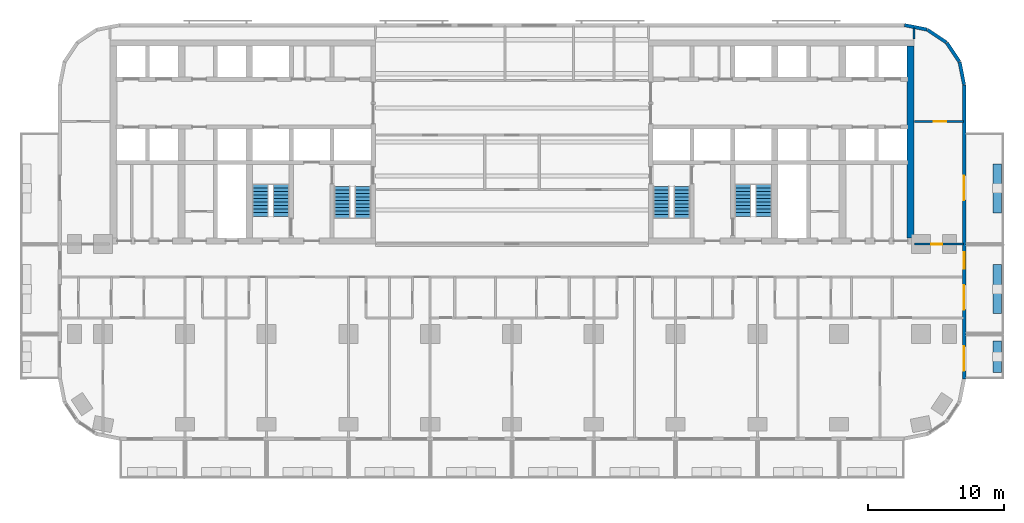
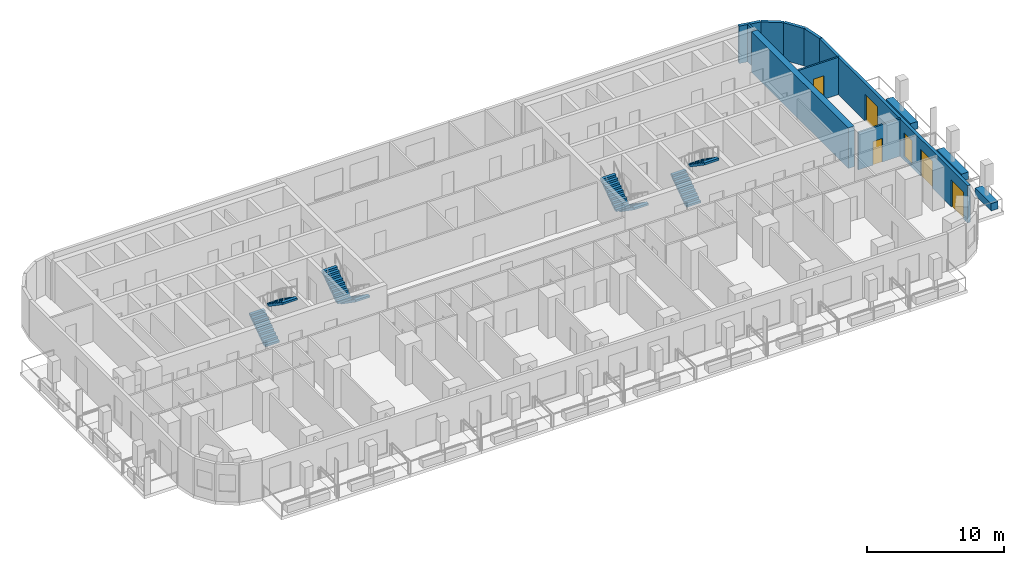
# One storey, part 10 of 15: 12 walls, 8 stair flights, 5 doors, 1 window, 6 openings, 4 elements without a shape of their own.
"""IFC4 building model written with IfcOpenShell, lengths in metres."""

from ifc_helpers import new_model, si_unit, direction, frame, frame_2d, origin, place, context, subcontext, project, spatial, polyline, rectangle, outline, extrude, material, layer, layer_set, type_object, element, fill, aggregate, save


model = new_model("IFC4")

# Units and contexts
model_context = context("Model", 3, precision=1e-05, world=origin(), true_north=direction((0.0, 1.0)))
body_context = subcontext(model_context, "Body", "Model", "MODEL_VIEW")
ifc_project = project(units=[si_unit("LENGTHUNIT", "METRE"), si_unit("AREAUNIT", "SQUARE_METRE"), si_unit("VOLUMEUNIT", "CUBIC_METRE"), si_unit("PLANEANGLEUNIT", "RADIAN"), si_unit("MASSUNIT", "GRAM", prefix="KILO")], contexts=[model_context])

# Site, building, storey
site_placement = place(None, origin())
site = spatial("IfcSite", under=ifc_project, at=site_placement, CompositionType="ELEMENT")
building_placement = place(site_placement, origin())
building = spatial("IfcBuilding", under=site, at=building_placement, Name="Torana Hotel and Residences", CompositionType="ELEMENT")
storey_placement = place(building_placement, frame((0.0, 0.0, 45.60009765625)))
storey = spatial("IfcBuildingStorey", under=building, at=storey_placement, Name="L10", CompositionType="ELEMENT", Elevation=45.60009765625)

# Walls
ifc_material_1 = material(Name="Concrete C80/95", Category="concrete")
ifc_layer_1 = layer(ifc_material_1, 0.5)
ifc_layer_set_1 = layer_set([ifc_layer_1], Name="CORE WALL 500 C80/95")
wall_type_1 = type_object("IfcWallType", Name="CORE WALL 500 C80/95", PredefinedType="SHEAR", material=ifc_layer_set_1)
wall_1_placement = place(storey_placement, frame((29.25, -14.550048828125, 0.0), z_axis=(0.0, 0.0, 1.0), x_axis=(0.0, 1.0, 0.0)))
element("IfcWall", 1, at=wall_1_placement, inside=storey, type_object=wall_type_1, Name="Core wall E outer", PredefinedType="SHEAR", context=body_context, shape_type="SweptSolid", body=[
    extrude(rectangle(XDim=14.10009765625, YDim=0.5, at=frame_2d((7.050048828125, 0.0))), origin(), (0.0, 0.0, 1.0), 3.599853515625),
])
ifc_material_2 = material(Name="Black aluminium composite panel", Category="aluminium")
ifc_layer_2 = layer(ifc_material_2, 0.00390625, Name="Cladding", Category="cladding")
ifc_material_3 = material(Name="Ventilated air cavity")
ifc_layer_3 = layer(ifc_material_3, 0.0400390625, Name="Ventilated cavity", Category="cavity")
ifc_material_4 = material(Name="Mineral wool insulation")
ifc_layer_4 = layer(ifc_material_4, 0.090087890625, Name="Insulation", Category="insulation")
ifc_material_5 = material(Name="Steel S280GD", Category="steel")
ifc_layer_5 = layer(ifc_material_5, 0.092041015625, Name="Steel stud frame", Category="structure")
ifc_material_6 = material(Name="Fire rated plasterboard")
ifc_layer_6 = layer(ifc_material_6, 0.011962890625, Name="Inner board", Category="finish")
ifc_layer_7 = layer(ifc_material_6, 0.011962890625, Name="Second board", Category="finish")
ifc_layer_set_2 = layer_set([ifc_layer_2, ifc_layer_3, ifc_layer_4, ifc_layer_5, ifc_layer_6, ifc_layer_7], Name="EW1 EXTERNAL WALL BLACK METAL CLAD 250")
wall_type_2 = type_object("IfcWallType", Name="EW1 EXTERNAL WALL BLACK METAL CLAD 250", PredefinedType="SOLIDWALL", material=ifc_layer_set_2)
wall_2_placement = place(storey_placement, frame((33.172607421875, -3.30029296875, 0.0), z_axis=(0.0, 0.0, 1.0), x_axis=(-0.19513878023, 0.980775640221, 0.0)))
element("IfcWall", 2, at=wall_2_placement, inside=storey, type_object=wall_type_2, Name="External wall L10 e0.0", PredefinedType="SOLIDWALL", context=body_context, shape_type="SweptSolid", body=[
    extrude(rectangle(XDim=1.681396484375, YDim=0.25, at=frame_2d((0.8408203125, 0.0))), origin(), (0.0, 0.0, 1.0), 3.31982421875),
])
for number, where, z_axis, x_axis, name in (
    (3, (32.825927734375, -1.60595703125, 0.0), (0.0, 0.0, 1.0), (-0.55555029066, 0.831482937015, 0.0), "External wall L10 e0.1"),
    (4, (31.87109375, -0.1943359375, 0.0), (0.0, 0.0, 1.0), (-0.831482937015, 0.55555029066, 0.0), "External wall L10 e0.2"),
):
    element("IfcWall", number, at=place(storey_placement, frame(where, z_axis=z_axis, x_axis=x_axis)), inside=storey, type_object=wall_type_2, Name=name, PredefinedType="SOLIDWALL", context=body_context, shape_type="SweptSolid", body=[
        extrude(rectangle(XDim=1.65625, YDim=0.25, at=frame_2d((0.828125, 0.0))), origin(), (0.0, 0.0, 1.0), 3.31982421875),
    ])
wall_3_placement = place(storey_placement, frame((30.448974609375, 0.74462890625, 0.0), z_axis=(0.0, 0.0, 1.0), x_axis=(-0.980803419081, 0.194999110559, 0.0)))
element("IfcWall", 5, at=wall_3_placement, inside=storey, type_object=wall_type_2, Name="External wall L10 e0.3", PredefinedType="SOLIDWALL", context=body_context, shape_type="SweptSolid", body=[
    extrude(rectangle(XDim=1.681396484375, YDim=0.25, at=frame_2d((0.8408203125, 0.0))), origin(), (0.0, 0.0, 1.0), 3.31982421875),
])

# Wall, openings, doors, window
wall_4_placement = place(storey_placement, frame((33.175048828125, -24.87548828125, 0.0), z_axis=(0.0, 0.0, 1.0), x_axis=(0.0, 1.0, 0.0)))
wall_4 = element("IfcWall", 6, at=wall_4_placement, inside=storey, type_object=wall_type_2, Name="External wall L10 e0.19", PredefinedType="SOLIDWALL", context=body_context, shape_type="SweptSolid", body=[
    extrude(rectangle(XDim=21.55078125, YDim=0.25, at=frame_2d((10.775390625, 0.0))), origin(), (0.0, 0.0, 1.0), 3.31982421875),
])
opening_1_placement = place(wall_4_placement, frame((0.575439453125, 0.0, 0.0)))
opening_1 = element("IfcOpeningElement", 7, at=opening_1_placement, cuts=wall_4, Name="Opening L10-E11", PredefinedType="OPENING", context=body_context, shape_type="SweptSolid", body=[
    extrude(rectangle(XDim=1.800048828125, YDim=2.39990234375, at=frame_2d((0.89990234375, 1.199951171875))), frame((0.0, 0.135009765625, 0.0), z_axis=(0.0, -1.0, 0.0), x_axis=(1.0, 0.0, 0.0)), (0.0, 0.0, 1.0), 0.27001953125),
])
opening_2_placement = place(wall_4_placement, frame((5.075439453125, 0.0, 0.0)))
opening_2 = element("IfcOpeningElement", 8, at=opening_2_placement, cuts=wall_4, Name="Opening L10-E12", PredefinedType="OPENING", context=body_context, shape_type="SweptSolid", body=[
    extrude(rectangle(XDim=1.800048828125, YDim=2.39990234375, at=frame_2d((0.89990234375, 1.199951171875))), frame((0.0, 0.135009765625, 0.0), z_axis=(0.0, -1.0, 0.0), x_axis=(1.0, 0.0, 0.0)), (0.0, 0.0, 1.0), 0.27001953125),
])
opening_3_placement = place(wall_4_placement, frame((8.075439453125, 0.0, 0.300048828125)))
opening_3 = element("IfcOpeningElement", 9, at=opening_3_placement, cuts=wall_4, Name="Opening W7", PredefinedType="OPENING", context=body_context, shape_type="SweptSolid", body=[
    extrude(rectangle(XDim=1.199951171875, YDim=2.10009765625, at=frame_2d((0.60009765625, 1.050048828125))), frame((0.0, 0.135009765625, 0.0), z_axis=(0.0, -1.0, 0.0), x_axis=(1.0, 0.0, 0.0)), (0.0, 0.0, 1.0), 0.27001953125),
])
opening_4_placement = place(wall_4_placement, frame((13.100341796875, 0.0, 0.0)))
opening_4 = element("IfcOpeningElement", 10, at=opening_4_placement, cuts=wall_4, Name="Opening L10-E13", PredefinedType="OPENING", context=body_context, shape_type="SweptSolid", body=[
    extrude(rectangle(XDim=1.800048828125, YDim=2.39990234375, at=frame_2d((0.89990234375, 1.199951171875))), frame((0.0, 0.135009765625, 0.0), z_axis=(0.0, -1.0, 0.0), x_axis=(1.0, 0.0, 0.0)), (0.0, 0.0, 1.0), 0.27001953125),
])
ifc_material_7 = material(Name="Dark glass in black aluminium frame", Category="aluminium")
door_type_1 = type_object("IfcDoorType", Name="DB1 BALCONY DOOR 1800x2400", OperationType="DOUBLE_DOOR_SINGLE_SWING", PredefinedType="DOOR", material=ifc_material_7)
door_1_placement = place(opening_1_placement, origin())
door_1 = element("IfcDoor", 11, at=door_1_placement, inside=storey, type_object=door_type_1, Name="Balcony door L10", OperationType="DOUBLE_DOOR_SINGLE_SWING", OverallHeight=2.39990234375, OverallWidth=1.800048828125, PredefinedType="DOOR", context=body_context, shape_type="SweptSolid", body=[
    extrude(rectangle(XDim=1.800048828125, YDim=2.39990234375, at=frame_2d((0.89990234375, 1.199951171875))), frame((0.0, 0.02490234375, 0.0), z_axis=(0.0, -1.0, 0.0), x_axis=(1.0, 0.0, 0.0)), (0.0, 0.0, 1.0), 0.050048828125),
])
fill(opening_1, door_1)
door_2_placement = place(opening_2_placement, origin())
door_2 = element("IfcDoor", 12, at=door_2_placement, inside=storey, type_object=door_type_1, Name="Balcony door L10", OperationType="DOUBLE_DOOR_SINGLE_SWING", OverallHeight=2.39990234375, OverallWidth=1.800048828125, PredefinedType="DOOR", context=body_context, shape_type="SweptSolid", body=[
    extrude(rectangle(XDim=1.800048828125, YDim=2.39990234375, at=frame_2d((0.89990234375, 1.199951171875))), frame((0.0, 0.02490234375, 0.0), z_axis=(0.0, -1.0, 0.0), x_axis=(1.0, 0.0, 0.0)), (0.0, 0.0, 1.0), 0.050048828125),
])
fill(opening_2, door_2)
door_3_placement = place(opening_4_placement, origin())
door_3 = element("IfcDoor", 13, at=door_3_placement, inside=storey, type_object=door_type_1, Name="Balcony door L10", OperationType="DOUBLE_DOOR_SINGLE_SWING", OverallHeight=2.39990234375, OverallWidth=1.800048828125, PredefinedType="DOOR", context=body_context, shape_type="SweptSolid", body=[
    extrude(rectangle(XDim=1.800048828125, YDim=2.39990234375, at=frame_2d((0.89990234375, 1.199951171875))), frame((0.0, 0.02490234375, 0.0), z_axis=(0.0, -1.0, 0.0), x_axis=(1.0, 0.0, 0.0)), (0.0, 0.0, 1.0), 0.050048828125),
])
fill(opening_4, door_3)
ifc_material_8 = material(Name="Dark glass in black aluminium frame", Category="aluminium")
window_type = type_object("IfcWindowType", Name="W7 HOTEL CORRIDOR WINDOW 1200x2100", PartitioningType="SINGLE_PANEL", PredefinedType="WINDOW", material=ifc_material_8)
window_placement = place(opening_3_placement, origin())
window = element("IfcWindow", 14, at=window_placement, inside=storey, type_object=window_type, Name="Window L10", OverallHeight=2.10009765625, OverallWidth=1.199951171875, PartitioningType="SINGLE_PANEL", PredefinedType="WINDOW", context=body_context, shape_type="SweptSolid", body=[
    extrude(rectangle(XDim=1.199951171875, YDim=2.10009765625, at=frame_2d((0.60009765625, 1.050048828125))), frame((0.0, 0.030029296875, 0.0), z_axis=(0.0, -1.0, 0.0), x_axis=(1.0, 0.0, 0.0)), (0.0, 0.0, 1.0), 0.06005859375),
])
fill(opening_3, window)

# Wall, opening, door
ifc_material_9 = material(Name="Gypsum plaster")
ifc_layer_8 = layer(ifc_material_9, 0.014892578125, Name="Plaster", Category="finish")
ifc_material_10 = material(Name="Concrete blockwork", Category="masonry")
ifc_layer_9 = layer(ifc_material_10, 0.1201171875, Name="Blockwork", Category="structure")
ifc_layer_10 = layer(ifc_material_9, 0.014892578125, Name="Plaster", Category="finish")
ifc_layer_set_3 = layer_set([ifc_layer_8, ifc_layer_9, ifc_layer_10], Name="FIRE PARTITION 150 BLOCKWORK")
wall_type_3 = type_object("IfcWallType", Name="FIRE PARTITION 150 BLOCKWORK", PredefinedType="PARTITIONING", material=ifc_layer_set_3)
wall_5_placement = place(storey_placement, frame((29.550048828125, -15.0, 0.0), z_axis=(0.0, 0.0, 1.0), x_axis=(1.0, 0.0, 0.0)))
wall_5 = element("IfcWall", 15, at=wall_5_placement, inside=storey, type_object=wall_type_3, Name="Partition L10", PredefinedType="PARTITIONING", context=body_context, shape_type="SweptSolid", body=[
    extrude(rectangle(XDim=3.570068359375, YDim=0.14990234375, at=frame_2d((1.78515625, 0.0))), origin(), (0.0, 0.0, 1.0), 3.31982421875),
])
opening_5_placement = place(wall_5_placement, frame((1.205078125, 0.0, 0.0)))
opening_5 = element("IfcOpeningElement", 16, at=opening_5_placement, cuts=wall_5, Name="Opening L10-53", PredefinedType="OPENING", context=body_context, shape_type="SweptSolid", body=[
    extrude(rectangle(XDim=0.800048828125, YDim=2.10009765625, at=frame_2d((0.39990234375, 1.050048828125))), frame((0.0, 0.0849609375, 0.0), z_axis=(0.0, -1.0, 0.0), x_axis=(1.0, 0.0, 0.0)), (0.0, 0.0, 1.0), 0.169921875),
])
ifc_material_11 = material(Name="Steel S235", Category="steel")
door_type_2 = type_object("IfcDoorType", Name="STORE FIRE DOOR D16 800x2100", OperationType="SINGLE_SWING_LEFT", PredefinedType="DOOR", material=ifc_material_11)
door_4_placement = place(opening_5_placement, origin())
door_4 = element("IfcDoor", 17, at=door_4_placement, inside=storey, type_object=door_type_2, Name="Door L10", OperationType="SINGLE_SWING_RIGHT", OverallHeight=2.10009765625, OverallWidth=0.800048828125, PredefinedType="DOOR", context=body_context, shape_type="SweptSolid", body=[
    extrude(rectangle(XDim=0.800048828125, YDim=2.10009765625, at=frame_2d((0.39990234375, 1.050048828125))), frame((0.0, 0.02490234375, 0.0), z_axis=(0.0, -1.0, 0.0), x_axis=(1.0, 0.0, 0.0)), (0.0, 0.0, 1.0), 0.050048828125),
])
fill(opening_5, door_4)

# Wall
ifc_material_12 = material(Name="Gypsum plasterboard")
ifc_layer_11 = layer(ifc_material_12, 0.012451171875, Name="Plasterboard", Category="finish")
ifc_layer_12 = layer(ifc_material_12, 0.012451171875, Name="Plasterboard", Category="finish")
ifc_layer_13 = layer(ifc_material_5, 0.10009765625, Name="Steel studs with mineral wool", Category="insulation")
ifc_layer_14 = layer(ifc_material_12, 0.012451171875, Name="Plasterboard", Category="finish")
ifc_layer_15 = layer(ifc_material_12, 0.012451171875, Name="Plasterboard", Category="finish")
ifc_layer_set_4 = layer_set([ifc_layer_11, ifc_layer_12, ifc_layer_13, ifc_layer_14, ifc_layer_15], Name="PARTITION 150 PLASTERBOARD")
wall_type_4 = type_object("IfcWallType", Name="PARTITION 150 PLASTERBOARD", PredefinedType="PARTITIONING", material=ifc_layer_set_4)
wall_6_placement = place(storey_placement, frame((29.5, 0.050048828125, 0.0), z_axis=(0.0, 0.0, 1.0), x_axis=(0.0, 1.0, 0.0)))
element("IfcWall", 18, at=wall_6_placement, inside=storey, type_object=wall_type_4, Name="Partition L10", PredefinedType="PARTITIONING", context=body_context, shape_type="SweptSolid", body=[
    extrude(rectangle(XDim=0.8271484375, YDim=0.14990234375, at=frame_2d((0.41357421875, 0.0))), origin(), (0.0, 0.0, 1.0), 3.31982421875),
])

# Wall, opening, door
wall_7_placement = place(storey_placement, frame((29.550048828125, -6.0, 0.0), z_axis=(0.0, 0.0, 1.0), x_axis=(1.0, 0.0, 0.0)))
wall_7 = element("IfcWall", 19, at=wall_7_placement, inside=storey, type_object=wall_type_4, Name="Partition L10", PredefinedType="PARTITIONING", context=body_context, shape_type="SweptSolid", body=[
    extrude(rectangle(XDim=3.570068359375, YDim=0.14990234375, at=frame_2d((1.78515625, 0.0))), origin(), (0.0, 0.0, 1.0), 3.31982421875),
])
opening_6_placement = place(wall_7_placement, frame((1.39990234375, 0.0, 0.0)))
opening_6 = element("IfcOpeningElement", 20, at=opening_6_placement, cuts=wall_7, Name="Opening L10-88", PredefinedType="OPENING", context=body_context, shape_type="SweptSolid", body=[
    extrude(rectangle(XDim=0.89990234375, YDim=2.10009765625, at=frame_2d((0.449951171875, 1.050048828125))), frame((0.0, 0.0849609375, 0.0), z_axis=(0.0, -1.0, 0.0), x_axis=(1.0, 0.0, 0.0)), (0.0, 0.0, 1.0), 0.169921875),
])
ifc_material_13 = material(Name="Timber door, oiled ash", Category="wood")
door_type_3 = type_object("IfcDoorType", Name="ROOM DOOR D7 900x2100", OperationType="SINGLE_SWING_LEFT", PredefinedType="DOOR", material=ifc_material_13)
door_5_placement = place(opening_6_placement, origin())
door_5 = element("IfcDoor", 21, at=door_5_placement, inside=storey, type_object=door_type_3, Name="Door L10", OperationType="SINGLE_SWING_LEFT", OverallHeight=2.10009765625, OverallWidth=0.89990234375, PredefinedType="DOOR", context=body_context, shape_type="SweptSolid", body=[
    extrude(rectangle(XDim=0.89990234375, YDim=2.10009765625, at=frame_2d((0.449951171875, 1.050048828125))), frame((0.0, 0.02490234375, 0.0), z_axis=(0.0, -1.0, 0.0), x_axis=(1.0, 0.0, 0.0)), (0.0, 0.0, 1.0), 0.050048828125),
])
fill(opening_6, door_5)

# Walls
ifc_material_14 = material(Name="Concrete C40/50 precast", Category="concrete")
ifc_layer_16 = layer(ifc_material_14, 0.10009765625, Name="Planter shell", Category="structure")
ifc_material_15 = material(Name="Root resistant membrane")
ifc_layer_17 = layer(ifc_material_15, 0.00390625, Name="Waterproofing membrane", Category="membrane")
ifc_material_16 = material(Name="Drainage board with filter fleece")
ifc_layer_18 = layer(ifc_material_16, 0.02001953125, Name="Drainage board", Category="drainage")
ifc_material_17 = material(Name="Growing medium")
ifc_layer_19 = layer(ifc_material_17, 0.47607421875, Name="Planting substrate", Category="soil")
ifc_layer_set_5 = layer_set([ifc_layer_16, ifc_layer_17, ifc_layer_18, ifc_layer_19], Name="PL1 BALCONY PLANTER 600")
wall_type_5 = type_object("IfcWallType", Name="PL1 BALCONY PLANTER 600", PredefinedType="USERDEFINED", material=ifc_layer_set_5)
wall_8_placement = place(storey_placement, frame((35.60009765625, -22.10009765625, 0.0), z_axis=(0.0, 0.0, 1.0), x_axis=(0.0, -1.0, 0.0)))
element("IfcWall", 22, at=wall_8_placement, inside=storey, type_object=wall_type_5, Name="Planter 14", ObjectType="PLANTER", PredefinedType="USERDEFINED", context=body_context, shape_type="SweptSolid", body=[
    extrude(rectangle(XDim=2.2998046875, YDim=0.60009765625, at=frame_2d((1.14990234375, 0.0))), origin(), (0.0, 0.0, 1.0), 0.64990234375),
])
wall_9_placement = place(storey_placement, frame((35.60009765625, -16.5, 0.0), z_axis=(0.0, 0.0, 1.0), x_axis=(0.0, -1.0, 0.0)))
element("IfcWall", 23, at=wall_9_placement, inside=storey, type_object=wall_type_5, Name="Planter 15", ObjectType="PLANTER", PredefinedType="USERDEFINED", context=body_context, shape_type="SweptSolid", body=[
    extrude(rectangle(XDim=3.60009765625, YDim=0.60009765625, at=frame_2d((1.800048828125, 0.0))), origin(), (0.0, 0.0, 1.0), 0.64990234375),
])
wall_10_placement = place(storey_placement, frame((35.60009765625, -9.10009765625, 0.0), z_axis=(0.0, 0.0, 1.0), x_axis=(0.0, -1.0, 0.0)))
element("IfcWall", 24, at=wall_10_placement, inside=storey, type_object=wall_type_5, Name="Planter 16", ObjectType="PLANTER", PredefinedType="USERDEFINED", context=body_context, shape_type="SweptSolid", body=[
    extrude(rectangle(XDim=3.599853515625, YDim=0.60009765625, at=frame_2d((1.7998046875, 0.0))), origin(), (0.0, 0.0, 1.0), 0.64990234375),
])

# Stair, stair flights
ifc_material_18 = material(Name="Concrete C40/50 precast", Category="concrete")
stair_type_1 = type_object("IfcStairType", Name="STAIR ST1 HALF TURN 1200", PredefinedType="HALF_TURN_STAIR", material=ifc_material_18)
stair_1_placement = place(storey_placement, origin())
stair_1 = element("IfcStair", 25, at=stair_1_placement, inside=storey, type_object=stair_type_1, Name="Stair ST1 L10", PredefinedType="HALF_TURN_STAIR")
ifc_material_19 = material(Name="Concrete C40/50 precast", Category="concrete")
stair_flight_type = type_object("IfcStairFlightType", Name="STAIR FLIGHT 1200 PRECAST", PredefinedType="STRAIGHT", material=ifc_material_19)
stair_flight_1_placement = place(storey_placement, frame((-10.949951171875, -10.75, 0.0), z_axis=(0.0, 0.0, 1.0), x_axis=(0.0, -1.0, 0.0)))
stair_flight_1 = element("IfcStairFlight", 26, at=stair_flight_1_placement, type_object=stair_flight_type, Name="ST1 flight 1", NumberOfRisers=10, NumberOfTreads=9, PredefinedType="STRAIGHT", RiserHeight=0.18, TreadLength=0.26, context=body_context, shape_type="SweptSolid", body=[
    extrude(outline(polyline([(0.0, 0.0), (0.0, 0.179931640625), (0.260009765625, 0.179931640625), (0.260009765625, 0.360107421875), (0.52001953125, 0.360107421875), (0.52001953125, 0.5400390625), (0.780029296875, 0.5400390625), (0.780029296875, 0.719970703125), (1.0400390625, 0.719970703125), (1.0400390625, 0.89990234375), (1.300048828125, 0.89990234375), (1.300048828125, 1.080078125), (1.56005859375, 1.080078125), (1.56005859375, 1.260009765625), (1.820068359375, 1.260009765625), (1.820068359375, 1.43994140625), (2.080078125, 1.43994140625), (2.080078125, 1.6201171875), (2.340087890625, 1.6201171875), (2.340087890625, 1.800048828125), (2.340087890625, 1.437744140625), (0.263427734375, 0.0), (0.0, 0.0)])), frame((0.0, 0.60009765625, 0.0), z_axis=(0.0, -1.0, 0.0), x_axis=(1.0, 0.0, 0.0)), (0.0, 0.0, 1.0), 1.199951171875),
])
stair_flight_2_placement = place(storey_placement, frame((-12.449951171875, -13.090087890625, 1.7998046875), z_axis=(0.0, 0.0, 1.0), x_axis=(0.0, 1.0, 0.0)))
stair_flight_2 = element("IfcStairFlight", 27, at=stair_flight_2_placement, type_object=stair_flight_type, Name="ST1 flight 2", NumberOfRisers=10, NumberOfTreads=9, PredefinedType="STRAIGHT", RiserHeight=0.18, TreadLength=0.26, context=body_context, shape_type="SweptSolid", body=[
    extrude(outline(polyline([(0.0, 0.0), (0.0, 0.179931640625), (0.260009765625, 0.179931640625), (0.260009765625, 0.360107421875), (0.52001953125, 0.360107421875), (0.52001953125, 0.5400390625), (0.780029296875, 0.5400390625), (0.780029296875, 0.719970703125), (1.0400390625, 0.719970703125), (1.0400390625, 0.89990234375), (1.300048828125, 0.89990234375), (1.300048828125, 1.080078125), (1.56005859375, 1.080078125), (1.56005859375, 1.260009765625), (1.820068359375, 1.260009765625), (1.820068359375, 1.43994140625), (2.080078125, 1.43994140625), (2.080078125, 1.6201171875), (2.340087890625, 1.6201171875), (2.340087890625, 1.800048828125), (2.340087890625, 1.437744140625), (0.263427734375, 0.0), (0.0, 0.0)])), frame((0.0, 0.60009765625, 0.0), z_axis=(0.0, -1.0, 0.0), x_axis=(1.0, 0.0, 0.0)), (0.0, 0.0, 1.0), 1.199951171875),
])
aggregate(stair_1, [stair_flight_1, stair_flight_2])

ifc_material_20 = material(Name="Concrete C40/50 precast", Category="concrete")
stair_type_2 = type_object("IfcStairType", Name="STAIR ST2 HALF TURN 1200", PredefinedType="HALF_TURN_STAIR", material=ifc_material_20)
stair_2_placement = place(storey_placement, origin())
stair_2 = element("IfcStair", 28, at=stair_2_placement, inside=storey, type_object=stair_type_2, Name="Stair ST2 L10", PredefinedType="HALF_TURN_STAIR")
stair_flight_3_placement = place(storey_placement, frame((-18.449951171875, -12.949951171875, 0.0), z_axis=(0.0, 0.0, 1.0), x_axis=(0.0, 1.0, 0.0)))
stair_flight_3 = element("IfcStairFlight", 29, at=stair_flight_3_placement, type_object=stair_flight_type, Name="ST2 flight 1", NumberOfRisers=10, NumberOfTreads=9, PredefinedType="STRAIGHT", RiserHeight=0.18, TreadLength=0.26, context=body_context, shape_type="SweptSolid", body=[
    extrude(outline(polyline([(0.0, 0.0), (0.0, 0.179931640625), (0.260009765625, 0.179931640625), (0.260009765625, 0.360107421875), (0.52001953125, 0.360107421875), (0.52001953125, 0.5400390625), (0.780029296875, 0.5400390625), (0.780029296875, 0.719970703125), (1.0400390625, 0.719970703125), (1.0400390625, 0.89990234375), (1.300048828125, 0.89990234375), (1.300048828125, 1.080078125), (1.56005859375, 1.080078125), (1.56005859375, 1.260009765625), (1.820068359375, 1.260009765625), (1.820068359375, 1.43994140625), (2.080078125, 1.43994140625), (2.080078125, 1.6201171875), (2.340087890625, 1.6201171875), (2.340087890625, 1.800048828125), (2.340087890625, 1.437744140625), (0.263427734375, 0.0), (0.0, 0.0)])), frame((0.0, 0.60009765625, 0.0), z_axis=(0.0, -1.0, 0.0), x_axis=(1.0, 0.0, 0.0)), (0.0, 0.0, 1.0), 1.199951171875),
])
stair_flight_4_placement = place(storey_placement, frame((-16.949951171875, -10.610107421875, 1.7998046875), z_axis=(0.0, 0.0, 1.0), x_axis=(0.0, -1.0, 0.0)))
stair_flight_4 = element("IfcStairFlight", 30, at=stair_flight_4_placement, type_object=stair_flight_type, Name="ST2 flight 2", NumberOfRisers=10, NumberOfTreads=9, PredefinedType="STRAIGHT", RiserHeight=0.18, TreadLength=0.26, context=body_context, shape_type="SweptSolid", body=[
    extrude(outline(polyline([(0.0, 0.0), (0.0, 0.179931640625), (0.260009765625, 0.179931640625), (0.260009765625, 0.360107421875), (0.52001953125, 0.360107421875), (0.52001953125, 0.5400390625), (0.780029296875, 0.5400390625), (0.780029296875, 0.719970703125), (1.0400390625, 0.719970703125), (1.0400390625, 0.89990234375), (1.300048828125, 0.89990234375), (1.300048828125, 1.080078125), (1.56005859375, 1.080078125), (1.56005859375, 1.260009765625), (1.820068359375, 1.260009765625), (1.820068359375, 1.43994140625), (2.080078125, 1.43994140625), (2.080078125, 1.6201171875), (2.340087890625, 1.6201171875), (2.340087890625, 1.800048828125), (2.340087890625, 1.437744140625), (0.263427734375, 0.0), (0.0, 0.0)])), frame((0.0, 0.60009765625, 0.0), z_axis=(0.0, -1.0, 0.0), x_axis=(1.0, 0.0, 0.0)), (0.0, 0.0, 1.0), 1.199951171875),
])
aggregate(stair_2, [stair_flight_3, stair_flight_4])

ifc_material_21 = material(Name="Concrete C40/50 precast", Category="concrete")
stair_type_3 = type_object("IfcStairType", Name="STAIR ST3 HALF TURN 1200", PredefinedType="HALF_TURN_STAIR", material=ifc_material_21)
stair_3_placement = place(storey_placement, origin())
stair_3 = element("IfcStair", 31, at=stair_3_placement, inside=storey, type_object=stair_type_3, Name="Stair ST3 L10", PredefinedType="HALF_TURN_STAIR")
stair_flight_5_placement = place(storey_placement, frame((12.449951171875, -10.75, 0.0), z_axis=(0.0, 0.0, 1.0), x_axis=(0.0, -1.0, 0.0)))
stair_flight_5 = element("IfcStairFlight", 32, at=stair_flight_5_placement, type_object=stair_flight_type, Name="ST3 flight 1", NumberOfRisers=10, NumberOfTreads=9, PredefinedType="STRAIGHT", RiserHeight=0.18, TreadLength=0.26, context=body_context, shape_type="SweptSolid", body=[
    extrude(outline(polyline([(0.0, 0.0), (0.0, 0.179931640625), (0.260009765625, 0.179931640625), (0.260009765625, 0.360107421875), (0.52001953125, 0.360107421875), (0.52001953125, 0.5400390625), (0.780029296875, 0.5400390625), (0.780029296875, 0.719970703125), (1.0400390625, 0.719970703125), (1.0400390625, 0.89990234375), (1.300048828125, 0.89990234375), (1.300048828125, 1.080078125), (1.56005859375, 1.080078125), (1.56005859375, 1.260009765625), (1.820068359375, 1.260009765625), (1.820068359375, 1.43994140625), (2.080078125, 1.43994140625), (2.080078125, 1.6201171875), (2.340087890625, 1.6201171875), (2.340087890625, 1.800048828125), (2.340087890625, 1.437744140625), (0.263427734375, 0.0), (0.0, 0.0)])), frame((0.0, 0.60009765625, 0.0), z_axis=(0.0, -1.0, 0.0), x_axis=(1.0, 0.0, 0.0)), (0.0, 0.0, 1.0), 1.199951171875),
])
stair_flight_6_placement = place(storey_placement, frame((10.949951171875, -13.090087890625, 1.7998046875), z_axis=(0.0, 0.0, 1.0), x_axis=(0.0, 1.0, 0.0)))
stair_flight_6 = element("IfcStairFlight", 33, at=stair_flight_6_placement, type_object=stair_flight_type, Name="ST3 flight 2", NumberOfRisers=10, NumberOfTreads=9, PredefinedType="STRAIGHT", RiserHeight=0.18, TreadLength=0.26, context=body_context, shape_type="SweptSolid", body=[
    extrude(outline(polyline([(0.0, 0.0), (0.0, 0.179931640625), (0.260009765625, 0.179931640625), (0.260009765625, 0.360107421875), (0.52001953125, 0.360107421875), (0.52001953125, 0.5400390625), (0.780029296875, 0.5400390625), (0.780029296875, 0.719970703125), (1.0400390625, 0.719970703125), (1.0400390625, 0.89990234375), (1.300048828125, 0.89990234375), (1.300048828125, 1.080078125), (1.56005859375, 1.080078125), (1.56005859375, 1.260009765625), (1.820068359375, 1.260009765625), (1.820068359375, 1.43994140625), (2.080078125, 1.43994140625), (2.080078125, 1.6201171875), (2.340087890625, 1.6201171875), (2.340087890625, 1.800048828125), (2.340087890625, 1.437744140625), (0.263427734375, 0.0), (0.0, 0.0)])), frame((0.0, 0.60009765625, 0.0), z_axis=(0.0, -1.0, 0.0), x_axis=(1.0, 0.0, 0.0)), (0.0, 0.0, 1.0), 1.199951171875),
])
aggregate(stair_3, [stair_flight_5, stair_flight_6])

ifc_material_22 = material(Name="Concrete C40/50 precast", Category="concrete")
stair_type_4 = type_object("IfcStairType", Name="STAIR ST4 HALF TURN 1200", PredefinedType="HALF_TURN_STAIR", material=ifc_material_22)
stair_4_placement = place(storey_placement, origin())
stair_4 = element("IfcStair", 34, at=stair_4_placement, inside=storey, type_object=stair_type_4, Name="Stair ST4 L10", PredefinedType="HALF_TURN_STAIR")
stair_flight_7_placement = place(storey_placement, frame((16.949951171875, -12.949951171875, 0.0), z_axis=(0.0, 0.0, 1.0), x_axis=(0.0, 1.0, 0.0)))
stair_flight_7 = element("IfcStairFlight", 35, at=stair_flight_7_placement, type_object=stair_flight_type, Name="ST4 flight 1", NumberOfRisers=10, NumberOfTreads=9, PredefinedType="STRAIGHT", RiserHeight=0.18, TreadLength=0.26, context=body_context, shape_type="SweptSolid", body=[
    extrude(outline(polyline([(0.0, 0.0), (0.0, 0.179931640625), (0.260009765625, 0.179931640625), (0.260009765625, 0.360107421875), (0.52001953125, 0.360107421875), (0.52001953125, 0.5400390625), (0.780029296875, 0.5400390625), (0.780029296875, 0.719970703125), (1.0400390625, 0.719970703125), (1.0400390625, 0.89990234375), (1.300048828125, 0.89990234375), (1.300048828125, 1.080078125), (1.56005859375, 1.080078125), (1.56005859375, 1.260009765625), (1.820068359375, 1.260009765625), (1.820068359375, 1.43994140625), (2.080078125, 1.43994140625), (2.080078125, 1.6201171875), (2.340087890625, 1.6201171875), (2.340087890625, 1.800048828125), (2.340087890625, 1.437744140625), (0.263427734375, 0.0), (0.0, 0.0)])), frame((0.0, 0.60009765625, 0.0), z_axis=(0.0, -1.0, 0.0), x_axis=(1.0, 0.0, 0.0)), (0.0, 0.0, 1.0), 1.199951171875),
])
stair_flight_8_placement = place(storey_placement, frame((18.449951171875, -10.610107421875, 1.7998046875), z_axis=(0.0, 0.0, 1.0), x_axis=(0.0, -1.0, 0.0)))
stair_flight_8 = element("IfcStairFlight", 36, at=stair_flight_8_placement, type_object=stair_flight_type, Name="ST4 flight 2", NumberOfRisers=10, NumberOfTreads=9, PredefinedType="STRAIGHT", RiserHeight=0.18, TreadLength=0.26, context=body_context, shape_type="SweptSolid", body=[
    extrude(outline(polyline([(0.0, 0.0), (0.0, 0.179931640625), (0.260009765625, 0.179931640625), (0.260009765625, 0.360107421875), (0.52001953125, 0.360107421875), (0.52001953125, 0.5400390625), (0.780029296875, 0.5400390625), (0.780029296875, 0.719970703125), (1.0400390625, 0.719970703125), (1.0400390625, 0.89990234375), (1.300048828125, 0.89990234375), (1.300048828125, 1.080078125), (1.56005859375, 1.080078125), (1.56005859375, 1.260009765625), (1.820068359375, 1.260009765625), (1.820068359375, 1.43994140625), (2.080078125, 1.43994140625), (2.080078125, 1.6201171875), (2.340087890625, 1.6201171875), (2.340087890625, 1.800048828125), (2.340087890625, 1.437744140625), (0.263427734375, 0.0), (0.0, 0.0)])), frame((0.0, 0.60009765625, 0.0), z_axis=(0.0, -1.0, 0.0), x_axis=(1.0, 0.0, 0.0)), (0.0, 0.0, 1.0), 1.199951171875),
])
aggregate(stair_4, [stair_flight_7, stair_flight_8])

save(model, "model.ifc")
